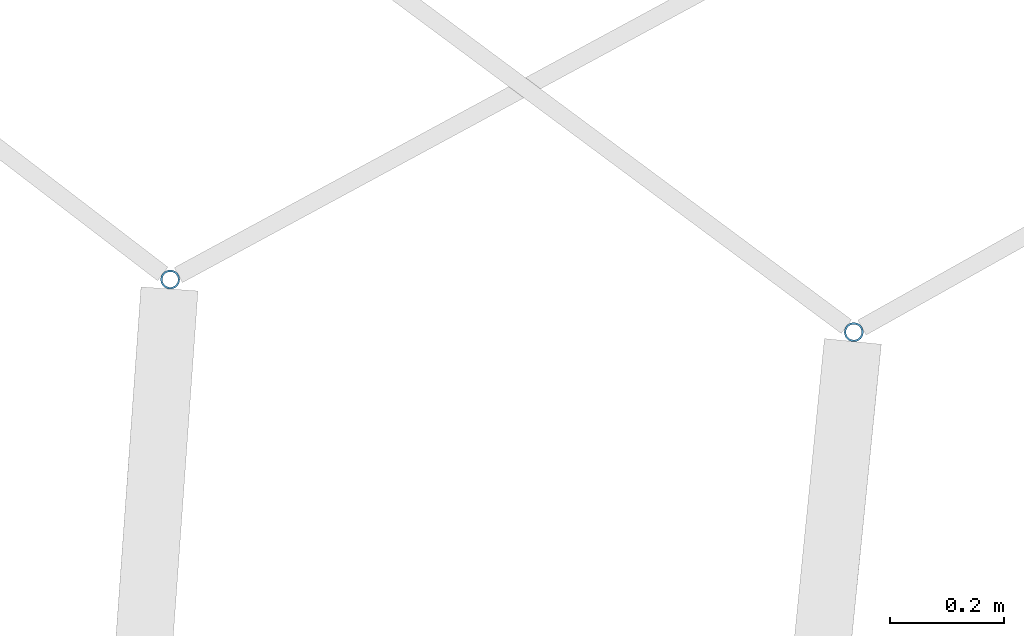
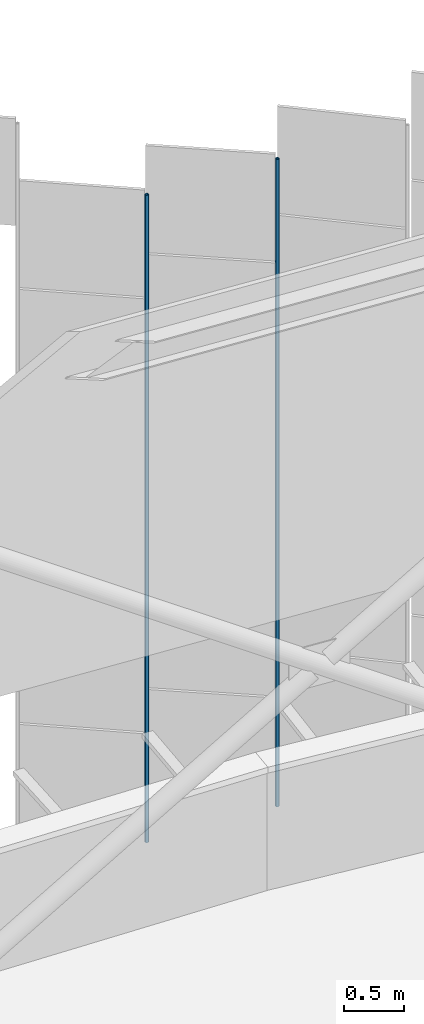
# One storey, part 390 of 483: 2 discrete accessories.
"""IFC4 building model written with IfcOpenShell, lengths in metres."""

from ifc_helpers import new_model, si_unit, direction, frame, origin, origin_2d, place, context, subcontext, project, spatial, hollow_circle, extrude, material, material_profile, profile_set, type_object, element, save


model = new_model("IFC4")

# Units and contexts
model_context = context("Model", 3, precision=1e-05, world=origin(), true_north=direction((0.0, 1.0)))
body_context = subcontext(model_context, "Body", "Model", "MODEL_VIEW")
ifc_project = project(units=[si_unit("LENGTHUNIT", "METRE"), si_unit("AREAUNIT", "SQUARE_METRE"), si_unit("VOLUMEUNIT", "CUBIC_METRE"), si_unit("PLANEANGLEUNIT", "RADIAN"), si_unit("MASSUNIT", "GRAM", prefix="KILO")], contexts=[model_context])

# Site, building, storey
site_placement = place(None, origin())
site = spatial("IfcSite", under=ifc_project, at=site_placement, CompositionType="ELEMENT")
building_placement = place(site_placement, origin())
building = spatial("IfcBuilding", under=site, at=building_placement, Name="Parallax Yard Mobility Hub", CompositionType="ELEMENT")
storey_placement = place(building_placement, frame((0.0, 0.0, 13.199951171875)))
storey = spatial("IfcBuildingStorey", under=building, at=storey_placement, Name="L04", CompositionType="ELEMENT", Elevation=13.199951171875)

# Discrete accessories
ifc_material = material(Name="Steel ASTM A500 Gr C, hot-dip galvanised", Category="steel")
ifc_material_profile = material_profile(ifc_material, hollow_circle(Radius=0.016845703125, WallThickness=0.003173828125, at=origin_2d()), Name="CHS 33.7x3.2")
ifc_profile_set = profile_set([ifc_material_profile], Name="Steel ASTM A500 Gr C, hot-dip galvanised")
discrete_accessory_type = type_object("IfcDiscreteAccessoryType", Name="Hinge post CHS 33.7x3.2", PredefinedType="BRACKET", material=ifc_profile_set)
for number, where, z_axis, x_axis, name in (
    (1, (177.285888671875, 143.10595703125, 0.0), (0.0, 0.0, 1.0), (1.0, 0.0, 0.0), "Hinge post bay 50.4 level L04"),
    (2, (176.090087890625, 143.197998046875, 0.0), (0.0, 0.0, 1.0), (1.0, 0.0, 0.0), "Hinge post bay 50.5 level L04"),
):
    element("IfcDiscreteAccessory", number, at=place(storey_placement, frame(where, z_axis=z_axis, x_axis=x_axis)), inside=storey, type_object=discrete_accessory_type, Name=name, PredefinedType="BRACKET", context=body_context, shape_type="SweptSolid", body=[
        extrude(hollow_circle(Radius=0.016845703125, WallThickness=0.003173828125, at=origin_2d()), origin(), (0.0, 0.0, 1.0), 6.550048828125),
    ])

save(model, "model.ifc")
